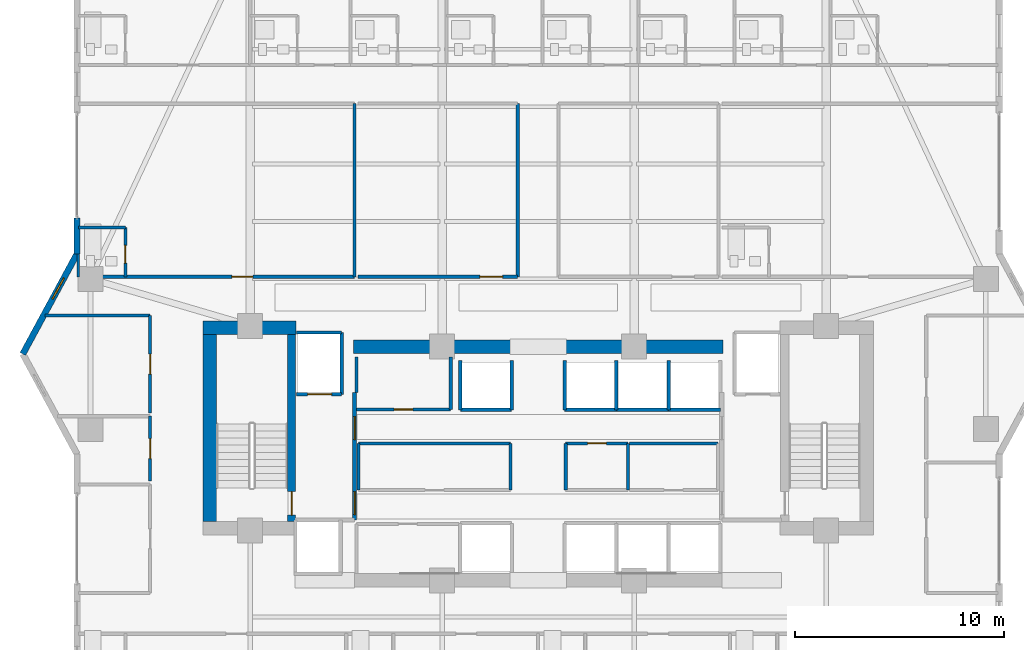
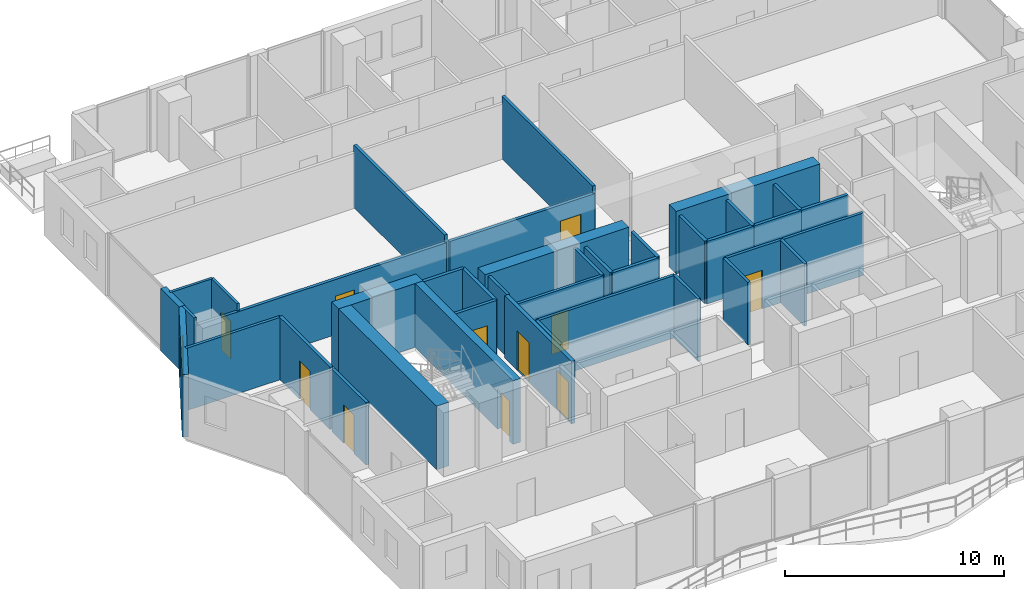
# One storey, part 25 of 33: 40 walls, 11 doors, 1 window, 12 openings.
"""IFC4 building model written with IfcOpenShell, lengths in metres."""

from ifc_helpers import new_model, si_unit, direction, frame, frame_2d, origin, place, context, subcontext, project, spatial, rectangle, extrude, material, layer, layer_set, type_object, element, fill, save


model = new_model("IFC4")

# Units and contexts
model_context = context("Model", 3, precision=1e-05, world=origin(), true_north=direction((0.0, 1.0)))
body_context = subcontext(model_context, "Body", "Model", "MODEL_VIEW")
ifc_project = project(units=[si_unit("LENGTHUNIT", "METRE"), si_unit("AREAUNIT", "SQUARE_METRE"), si_unit("VOLUMEUNIT", "CUBIC_METRE"), si_unit("PLANEANGLEUNIT", "RADIAN"), si_unit("MASSUNIT", "GRAM", prefix="KILO")], contexts=[model_context])

# Site, building, storey
site_placement = place(None, origin())
site = spatial("IfcSite", under=ifc_project, at=site_placement, CompositionType="ELEMENT")
building_placement = place(site_placement, origin())
building = spatial("IfcBuilding", under=site, at=building_placement, Name="Zuhayl Quay Hotel", CompositionType="ELEMENT")
storey_placement = place(building_placement, frame((0.0, 0.0, 229.89990234375)))
storey = spatial("IfcBuildingStorey", under=building, at=storey_placement, Name="L58", CompositionType="ELEMENT", Elevation=229.89990234375)

# Walls
ifc_material_1 = material(Name="Concrete C50/60", Category="concrete")
ifc_layer_1 = layer(ifc_material_1, 0.64990234375, Name="Concrete C50/60", Category="concrete")
ifc_layer_set_1 = layer_set([ifc_layer_1], Name="Concrete C50/60")
wall_type_1 = type_object("IfcWallType", Name="WL_CORE_650", PredefinedType="SHEAR", material=ifc_layer_set_1)
wall_1_placement = place(storey_placement, frame((-16.06005859375, 14.2548828125, 0.0), z_axis=(0.0, 0.0, 1.0), x_axis=(1.0, 0.0, 0.0)))
element("IfcWall", 1, at=wall_1_placement, inside=storey, type_object=wall_type_1, Name="L58 Core Shear Wall CW_NW", PredefinedType="SHEAR", context=body_context, shape_type="SweptSolid", body=[
    extrude(rectangle(XDim=4.4599609375, YDim=0.64990234375, at=frame_2d((2.22998046875, 0.0))), origin(), (0.0, 0.0, 1.0), 3.56005859375),
])
wall_2_placement = place(storey_placement, frame((-15.735107421875, 4.969970703125, 0.0), z_axis=(0.0, 0.0, 1.0), x_axis=(0.0, 1.0, 0.0)))
element("IfcWall", 2, at=wall_2_placement, inside=storey, type_object=wall_type_1, Name="L58 Core Shear Wall CW_W", PredefinedType="SHEAR", context=body_context, shape_type="SweptSolid", body=[
    extrude(rectangle(XDim=8.9599609375, YDim=0.64990234375, at=frame_2d((4.47998046875, 0.0))), origin(), (0.0, 0.0, 1.0), 3.56005859375),
])
for number, where, z_axis, x_axis, name in (
    (3, (-8.85009765625, 13.35009765625, 0.0), (0.0, 0.0, 1.0), (1.0, 0.0, 0.0), "L58 Core Shear Wall CW_NC_W"),
    (4, (1.25, 13.35009765625, 0.0), (0.0, 0.0, 1.0), (1.0, 0.0, 0.0), "L58 Core Shear Wall CW_NC_E"),
):
    element("IfcWall", number, at=place(storey_placement, frame(where, z_axis=z_axis, x_axis=x_axis)), inside=storey, type_object=wall_type_1, Name=name, PredefinedType="SHEAR", context=body_context, shape_type="SweptSolid", body=[
        extrude(rectangle(XDim=7.60009765625, YDim=0.64990234375, at=frame_2d((3.800048828125, 0.0))), origin(), (0.0, 0.0, 1.0), 3.489990234375),
    ])

# Wall, opening, window
ifc_material_2 = material(Name="Precast concrete C45/55", Category="concrete")
ifc_layer_2 = layer(ifc_material_2, 0.300048828125, Name="Precast concrete C45/55", Category="concrete")
ifc_layer_set_2 = layer_set([ifc_layer_2], Name="Precast concrete C45/55")
wall_type_2 = type_object("IfcWallType", Name="WL_EXT_300", PredefinedType="STANDARD", material=ifc_layer_set_2)
wall_3_placement = place(storey_placement, frame((-24.699951171875, 13.0, 0.0), z_axis=(0.0, 0.0, 1.0), x_axis=(0.476258655584, 0.879305233114, 0.0)))
wall_3 = element("IfcWall", 5, at=wall_3_placement, inside=storey, type_object=wall_type_2, Name="L58 Exterior Precast Wall ENV_L58_EW04", PredefinedType="STANDARD", context=body_context, shape_type="SweptSolid", body=[
    extrude(rectangle(XDim=5.458984375, YDim=0.300048828125, at=frame_2d((2.7294921875, 0.0))), origin(), (0.0, 0.0, 1.0), 3.489990234375),
])
opening_1_placement = place(wall_3_placement, frame((2.9931640625, 0.0, 1.25)))
opening_1 = element("IfcOpeningElement", 6, at=opening_1_placement, cuts=wall_3, Name="Opening W01N", PredefinedType="OPENING", context=body_context, shape_type="SweptSolid", body=[
    extrude(rectangle(XDim=1.14990234375, YDim=1.550048828125, at=frame_2d((0.574951171875, 0.77490234375))), frame((0.0, 0.159912109375, 0.0), z_axis=(0.0, -1.0, 0.0), x_axis=(1.0, 0.0, 0.0)), (0.0, 0.0, 1.0), 0.320068359375),
])
ifc_material_3 = material(Name="Dark Ceramic-Fritted Solar Glass", Category="glass")
window_type = type_object("IfcWindowType", Name="WN_NOTCH_1350", PartitioningType="SINGLE_PANEL", PredefinedType="WINDOW", material=ifc_material_3)
window_placement = place(opening_1_placement, origin())
window = element("IfcWindow", 7, at=window_placement, inside=storey, type_object=window_type, Name="L58 Corner Notch Window 4", OverallHeight=1.550048828125, OverallWidth=1.14990234375, PartitioningType="SINGLE_PANEL", PredefinedType="WINDOW", context=body_context, shape_type="SweptSolid", body=[
    extrude(rectangle(XDim=1.14990234375, YDim=1.550048828125, at=frame_2d((0.574951171875, 0.77490234375))), frame((0.0, 0.030029296875, 0.0), z_axis=(0.0, -1.0, 0.0), x_axis=(1.0, 0.0, 0.0)), (0.0, 0.0, 1.0), 0.06005859375),
])
fill(opening_1, window)

# Wall
wall_4_placement = place(storey_placement, frame((-22.10009765625, 17.800048828125, 0.0), z_axis=(0.0, 0.0, 1.0), x_axis=(0.0, 1.0, 0.0)))
element("IfcWall", 8, at=wall_4_placement, inside=storey, type_object=wall_type_2, Name="L58 Exterior Precast Wall ENV_L58_E05_EW1", PredefinedType="STANDARD", context=body_context, shape_type="SweptSolid", body=[
    extrude(rectangle(XDim=1.7099609375, YDim=0.300048828125, at=frame_2d((0.85498046875, 0.0))), origin(), (0.0, 0.0, 1.0), 3.489990234375),
])

# Wall, opening, door
ifc_material_4 = material(Name="Acoustic Gypsum Partition STC-58")
ifc_layer_3 = layer(ifc_material_4, 0.14990234375, Name="Acoustic Gypsum Partition STC-58")
ifc_layer_set_3 = layer_set([ifc_layer_3], Name="Acoustic Gypsum Partition STC-58")
wall_type_3 = type_object("IfcWallType", Name="WL_PART_150", PredefinedType="PARTITIONING", material=ifc_layer_set_3)
wall_5_placement = place(storey_placement, frame((-8.7099609375, 10.340087890625, 0.0), z_axis=(0.0, 0.0, 1.0), x_axis=(1.0, 0.0, 0.0)))
wall_5 = element("IfcWall", 9, at=wall_5_placement, inside=storey, type_object=wall_type_3, Name="L58 Partition IW_L58_FLP_N_S", PredefinedType="PARTITIONING", context=body_context, shape_type="SweptSolid", body=[
    extrude(rectangle(XDim=4.52001953125, YDim=0.14990234375, at=frame_2d((2.260009765625, 0.0))), origin(), (0.0, 0.0, 1.0), 3.489990234375),
])
opening_2_placement = place(wall_5_placement, frame((1.81005859375, 0.0, 0.0)))
opening_2 = element("IfcOpeningElement", 10, at=opening_2_placement, cuts=wall_5, Name="Opening D06", PredefinedType="OPENING", context=body_context, shape_type="SweptSolid", body=[
    extrude(rectangle(XDim=0.89990234375, YDim=2.14990234375, at=frame_2d((0.449951171875, 1.074951171875))), frame((0.0, 0.0849609375, 0.0), z_axis=(0.0, -1.0, 0.0), x_axis=(1.0, 0.0, 0.0)), (0.0, 0.0, 1.0), 0.169921875),
])
ifc_material_5 = material(Name="Steel ASTM A992 Grade 50", Category="steel")
door_type_1 = type_object("IfcDoorType", Name="DR_INT_900", OperationType="NOTDEFINED", PredefinedType="DOOR", material=ifc_material_5)
door_1_placement = place(opening_2_placement, origin())
door_1 = element("IfcDoor", 11, at=door_1_placement, inside=storey, type_object=door_type_1, Name="L58 Linen Store West Door", OperationType="SINGLE_SWING_RIGHT", OverallHeight=2.14990234375, OverallWidth=0.89990234375, PredefinedType="DOOR", context=body_context, shape_type="SweptSolid", body=[
    extrude(rectangle(XDim=0.89990234375, YDim=2.14990234375, at=frame_2d((0.449951171875, 1.074951171875))), frame((0.0, 0.02490234375, 0.0), z_axis=(0.0, -1.0, 0.0), x_axis=(1.0, 0.0, 0.0)), (0.0, 0.0, 1.0), 0.050048828125),
])
fill(opening_2, door_1)

wall_6_placement = place(storey_placement, frame((1.320068359375, 8.719970703125, 0.0), z_axis=(0.0, 0.0, 1.0), x_axis=(1.0, 0.0, 0.0)))
wall_6 = element("IfcWall", 12, at=wall_6_placement, inside=storey, type_object=wall_type_3, Name="L58 Partition IW_L58_CORE_IT_N", PredefinedType="PARTITIONING", context=body_context, shape_type="SweptSolid", body=[
    extrude(rectangle(XDim=2.989990234375, YDim=0.14990234375, at=frame_2d((1.4951171875, 0.0))), origin(), (0.0, 0.0, 1.0), 3.489990234375),
])
opening_3_placement = place(wall_6_placement, frame((1.044921875, 0.0, 0.0)))
opening_3 = element("IfcOpeningElement", 13, at=opening_3_placement, cuts=wall_6, Name="Opening D06", PredefinedType="OPENING", context=body_context, shape_type="SweptSolid", body=[
    extrude(rectangle(XDim=0.89990234375, YDim=2.14990234375, at=frame_2d((0.449951171875, 1.074951171875))), frame((0.0, 0.0849609375, 0.0), z_axis=(0.0, -1.0, 0.0), x_axis=(1.0, 0.0, 0.0)), (0.0, 0.0, 1.0), 0.169921875),
])
door_2_placement = place(opening_3_placement, origin())
door_2 = element("IfcDoor", 14, at=door_2_placement, inside=storey, type_object=door_type_1, Name="L58 Telecom Closet Door", OperationType="SINGLE_SWING_RIGHT", OverallHeight=2.14990234375, OverallWidth=0.89990234375, PredefinedType="DOOR", context=body_context, shape_type="SweptSolid", body=[
    extrude(rectangle(XDim=0.89990234375, YDim=2.14990234375, at=frame_2d((0.449951171875, 1.074951171875))), frame((0.0, 0.02490234375, 0.0), z_axis=(0.0, -1.0, 0.0), x_axis=(1.0, 0.0, 0.0)), (0.0, 0.0, 1.0), 0.050048828125),
])
fill(opening_3, door_2)

# Walls
wall_7_placement = place(storey_placement, frame((-8.7099609375, 11.14990234375, 0.0), z_axis=(0.0, 0.0, 1.0), x_axis=(0.0, 1.0, 0.0)))
element("IfcWall", 15, at=wall_7_placement, inside=storey, type_object=wall_type_3, Name="L58 Partition IW_L58_FLP_N_W", PredefinedType="PARTITIONING", context=body_context, shape_type="SweptSolid", body=[
    extrude(rectangle(XDim=1.710205078125, YDim=0.14990234375, at=frame_2d((0.85498046875, 0.0))), origin(), (0.0, 0.0, 1.0), 3.489990234375),
])
wall_8_placement = place(storey_placement, frame((-4.18994140625, 10.340087890625, 0.0), z_axis=(0.0, 0.0, 1.0), x_axis=(0.0, 1.0, 0.0)))
element("IfcWall", 16, at=wall_8_placement, inside=storey, type_object=wall_type_3, Name="L58 Partition IW_L58_FLP_N_E", PredefinedType="PARTITIONING", context=body_context, shape_type="SweptSolid", body=[
    extrude(rectangle(XDim=2.52001953125, YDim=0.14990234375, at=frame_2d((1.260009765625, 0.0))), origin(), (0.0, 0.0, 1.0), 3.489990234375),
])
wall_9_placement = place(storey_placement, frame((-8.610107421875, 8.719970703125, 0.0), z_axis=(0.0, 0.0, 1.0), x_axis=(1.0, 0.0, 0.0)))
element("IfcWall", 17, at=wall_9_placement, inside=storey, type_object=wall_type_3, Name="L58 Partition IW_L58_CORE_EL_N", PredefinedType="PARTITIONING", context=body_context, shape_type="SweptSolid", body=[
    extrude(rectangle(XDim=7.2900390625, YDim=0.14990234375, at=frame_2d((3.64501953125, 0.0))), origin(), (0.0, 0.0, 1.0), 3.489990234375),
])
for number, where, z_axis, x_axis, name in (
    (18, (-8.610107421875, 6.47998046875, 0.0), (0.0, 0.0, 1.0), (0.0, 1.0, 0.0), "L58 Partition IW_L58_CORE_EL_W"),
    (19, (-1.320068359375, 6.47998046875, 0.0), (0.0, 0.0, 1.0), (0.0, 1.0, 0.0), "L58 Partition IW_L58_CORE_EL_E"),
    (20, (1.320068359375, 6.47998046875, 0.0), (0.0, 0.0, 1.0), (0.0, 1.0, 0.0), "L58 Partition IW_L58_CORE_IT_W"),
    (21, (4.31005859375, 6.47998046875, 0.0), (0.0, 0.0, 1.0), (0.0, 1.0, 0.0), "L58 Partition IW_L58_CORE_IT_E"),
):
    element("IfcWall", number, at=place(storey_placement, frame(where, z_axis=z_axis, x_axis=x_axis)), inside=storey, type_object=wall_type_3, Name=name, PredefinedType="PARTITIONING", context=body_context, shape_type="SweptSolid", body=[
        extrude(rectangle(XDim=2.239990234375, YDim=0.14990234375, at=frame_2d((1.1201171875, 0.0))), origin(), (0.0, 0.0, 1.0), 3.489990234375),
    ])
wall_10_placement = place(storey_placement, frame((4.3701171875, 8.719970703125, 0.0), z_axis=(0.0, 0.0, 1.0), x_axis=(1.0, 0.0, 0.0)))
element("IfcWall", 22, at=wall_10_placement, inside=storey, type_object=wall_type_3, Name="L58 Partition IW_L58_CORE_LN_N", PredefinedType="PARTITIONING", context=body_context, shape_type="SweptSolid", body=[
    extrude(rectangle(XDim=4.239990234375, YDim=0.14990234375, at=frame_2d((2.1201171875, 0.0))), origin(), (0.0, 0.0, 1.0), 3.489990234375),
])
for number, where, z_axis, x_axis, name in (
    (23, (-8.800048828125, 16.699951171875, 0.0), (0.0, 0.0, 1.0), (0.0, 1.0, 0.0), "L58 Partition IW_L58_MU01_E"),
    (24, (-0.97998046875, 16.699951171875, 0.0), (0.0, 0.0, 1.0), (0.0, 1.0, 0.0), "L58 Partition IW_L58_Z3_MID_W_E"),
):
    element("IfcWall", number, at=place(storey_placement, frame(where, z_axis=z_axis, x_axis=x_axis)), inside=storey, type_object=wall_type_3, Name=name, PredefinedType="PARTITIONING", context=body_context, shape_type="SweptSolid", body=[
        extrude(rectangle(XDim=8.300048828125, YDim=0.14990234375, at=frame_2d((4.14990234375, 0.0))), origin(), (0.0, 0.0, 1.0), 3.489990234375),
    ])
wall_11_placement = place(storey_placement, frame((-23.637939453125, 14.85009765625, 0.0), z_axis=(0.0, 0.0, 1.0), x_axis=(1.0, 0.0, 0.0)))
element("IfcWall", 25, at=wall_11_placement, inside=storey, type_object=wall_type_3, Name="L58 Partition IW_L58_WPROW_3_N", PredefinedType="PARTITIONING", context=body_context, shape_type="SweptSolid", body=[
    extrude(rectangle(XDim=5.037841796875, YDim=0.14990234375, at=frame_2d((2.51904296875, 0.0))), origin(), (0.0, 0.0, 1.0), 3.489990234375),
])

# Wall, opening, door
ifc_layer_4 = layer(ifc_material_4, 0.159912109375, Name="Acoustic Gypsum Partition STC-58")
ifc_layer_set_4 = layer_set([ifc_layer_4], Name="Acoustic Gypsum Partition STC-58")
wall_type_4 = type_object("IfcWallType", Name="WL_PART_CORR_160", PredefinedType="PARTITIONING", material=ifc_layer_set_4)
wall_12_placement = place(storey_placement, frame((-22.0400390625, 16.699951171875, 0.0), z_axis=(0.0, 0.0, 1.0), x_axis=(1.0, 0.0, 0.0)))
wall_12 = element("IfcWall", 26, at=wall_12_placement, inside=storey, type_object=wall_type_4, Name="L58 Partition IW_L58_MU01_COR", PredefinedType="PARTITIONING", context=body_context, shape_type="SweptSolid", body=[
    extrude(rectangle(XDim=13.239990234375, YDim=0.159912109375, at=frame_2d((6.6201171875, 0.0))), origin(), (0.0, 0.0, 1.0), 3.083984375),
])
opening_4_placement = place(wall_12_placement, frame((7.364990234375, 0.0, 0.0)))
opening_4 = element("IfcOpeningElement", 27, at=opening_4_placement, cuts=wall_12, Name="Opening D03L", PredefinedType="OPENING", context=body_context, shape_type="SweptSolid", body=[
    extrude(rectangle(XDim=1.0, YDim=2.14990234375, at=frame_2d((0.5, 1.074951171875))), frame((0.0, 0.08984375, 0.0), z_axis=(0.0, -1.0, 0.0), x_axis=(1.0, 0.0, 0.0)), (0.0, 0.0, 1.0), 0.179931640625),
])
ifc_material_6 = material(Name="Solid Walnut Acoustic Fire Door")
door_type_2 = type_object("IfcDoorType", Name="DR_SUITE_1000", OperationType="NOTDEFINED", PredefinedType="DOOR", material=ifc_material_6)
door_3_placement = place(opening_4_placement, origin())
door_3 = element("IfcDoor", 28, at=door_3_placement, inside=storey, type_object=door_type_2, Name="L58 Club Junior Suite L58-M1 Entrance Door", OperationType="SINGLE_SWING_LEFT", OverallHeight=2.14990234375, OverallWidth=1.0, PredefinedType="DOOR", context=body_context, shape_type="SweptSolid", body=[
    extrude(rectangle(XDim=1.0, YDim=2.14990234375, at=frame_2d((0.5, 1.074951171875))), frame((0.0, 0.02490234375, 0.0), z_axis=(0.0, -1.0, 0.0), x_axis=(1.0, 0.0, 0.0)), (0.0, 0.0, 1.0), 0.050048828125),
])
fill(opening_4, door_3)

wall_13_placement = place(storey_placement, frame((-8.639892578125, 16.699951171875, 0.0), z_axis=(0.0, 0.0, 1.0), x_axis=(1.0, 0.0, 0.0)))
wall_13 = element("IfcWall", 29, at=wall_13_placement, inside=storey, type_object=wall_type_4, Name="L58 Partition IW_L58_Z3_MID_W_S", PredefinedType="PARTITIONING", context=body_context, shape_type="SweptSolid", body=[
    extrude(rectangle(XDim=7.659912109375, YDim=0.159912109375, at=frame_2d((3.830078125, 0.0))), origin(), (0.0, 0.0, 1.0), 3.083984375),
])
opening_5_placement = place(wall_13_placement, frame((5.85009765625, 0.0, 0.0)))
opening_5 = element("IfcOpeningElement", 30, at=opening_5_placement, cuts=wall_13, Name="Opening D05A", PredefinedType="OPENING", context=body_context, shape_type="SweptSolid", body=[
    extrude(rectangle(XDim=1.080078125, YDim=2.179931640625, at=frame_2d((0.5400390625, 1.08984375))), frame((0.0, 0.08984375, 0.0), z_axis=(0.0, -1.0, 0.0), x_axis=(1.0, 0.0, 0.0)), (0.0, 0.0, 1.0), 0.179931640625),
])
door_type_3 = type_object("IfcDoorType", Name="DR_INT_1100", OperationType="NOTDEFINED", PredefinedType="DOOR", material=ifc_material_6)
door_4_placement = place(opening_5_placement, origin())
door_4 = element("IfcDoor", 31, at=door_4_placement, inside=storey, type_object=door_type_3, Name="L58 Club Salon Boardroom Door", OperationType="SINGLE_SWING_RIGHT", OverallHeight=2.179931640625, OverallWidth=1.080078125, PredefinedType="DOOR", context=body_context, shape_type="SweptSolid", body=[
    extrude(rectangle(XDim=1.080078125, YDim=2.179931640625, at=frame_2d((0.5400390625, 1.08984375))), frame((0.0, 0.02490234375, 0.0), z_axis=(0.0, -1.0, 0.0), x_axis=(1.0, 0.0, 0.0)), (0.0, 0.0, 1.0), 0.050048828125),
])
fill(opening_5, door_4)

wall_14_placement = place(storey_placement, frame((-18.60009765625, 6.909912109375, 0.0), z_axis=(0.0, 0.0, 1.0), x_axis=(0.0, 1.0, 0.0)))
wall_14 = element("IfcWall", 32, at=wall_14_placement, inside=storey, type_object=wall_type_4, Name="L58 Partition IW_L58_WPROW_2_E", PredefinedType="PARTITIONING", context=body_context, shape_type="SweptSolid", body=[
    extrude(rectangle(XDim=3.110107421875, YDim=0.159912109375, at=frame_2d((1.55517578125, 0.0))), origin(), (0.0, 0.0, 1.0), 3.489990234375),
])
opening_6_placement = place(wall_14_placement, frame((1.080078125, 0.0, 0.0)))
opening_6 = element("IfcOpeningElement", 33, at=opening_6_placement, cuts=wall_14, Name="Opening D03", PredefinedType="OPENING", context=body_context, shape_type="SweptSolid", body=[
    extrude(rectangle(XDim=0.949951171875, YDim=2.14990234375, at=frame_2d((0.47509765625, 1.074951171875))), frame((0.0, 0.08984375, 0.0), z_axis=(0.0, -1.0, 0.0), x_axis=(1.0, 0.0, 0.0)), (0.0, 0.0, 1.0), 0.179931640625),
])
door_type_4 = type_object("IfcDoorType", Name="DR_SUITE_950", OperationType="NOTDEFINED", PredefinedType="DOOR", material=ifc_material_6)
door_5_placement = place(opening_6_placement, origin())
door_5 = element("IfcDoor", 34, at=door_5_placement, inside=storey, type_object=door_type_4, Name="L58 Sunset Tea Salon L58 Door", OperationType="SINGLE_SWING_LEFT", OverallHeight=2.14990234375, OverallWidth=0.949951171875, PredefinedType="DOOR", context=body_context, shape_type="SweptSolid", body=[
    extrude(rectangle(XDim=0.949951171875, YDim=2.14990234375, at=frame_2d((0.47509765625, 1.074951171875))), frame((0.0, 0.02490234375, 0.0), z_axis=(0.0, -1.0, 0.0), x_axis=(1.0, 0.0, 0.0)), (0.0, 0.0, 1.0), 0.050048828125),
])
fill(opening_6, door_5)

wall_15_placement = place(storey_placement, frame((-18.60009765625, 10.179931640625, 0.0), z_axis=(0.0, 0.0, 1.0), x_axis=(0.0, 1.0, 0.0)))
wall_15 = element("IfcWall", 35, at=wall_15_placement, inside=storey, type_object=wall_type_4, Name="L58 Partition IW_L58_WPROW_3_E", PredefinedType="PARTITIONING", context=body_context, shape_type="SweptSolid", body=[
    extrude(rectangle(XDim=4.670166015625, YDim=0.159912109375, at=frame_2d((2.3349609375, 0.0))), origin(), (0.0, 0.0, 1.0), 3.489990234375),
])
opening_7_placement = place(wall_15_placement, frame((1.860107421875, 0.0, 0.0)))
opening_7 = element("IfcOpeningElement", 36, at=opening_7_placement, cuts=wall_15, Name="Opening D03", PredefinedType="OPENING", context=body_context, shape_type="SweptSolid", body=[
    extrude(rectangle(XDim=0.949951171875, YDim=2.14990234375, at=frame_2d((0.47509765625, 1.074951171875))), frame((0.0, 0.08984375, 0.0), z_axis=(0.0, -1.0, 0.0), x_axis=(1.0, 0.0, 0.0)), (0.0, 0.0, 1.0), 0.179931640625),
])
door_6_placement = place(opening_7_placement, origin())
door_6 = element("IfcDoor", 37, at=door_6_placement, inside=storey, type_object=door_type_4, Name="L58 West Horizon Salon L58 Door", OperationType="SINGLE_SWING_RIGHT", OverallHeight=2.14990234375, OverallWidth=0.949951171875, PredefinedType="DOOR", context=body_context, shape_type="SweptSolid", body=[
    extrude(rectangle(XDim=0.949951171875, YDim=2.14990234375, at=frame_2d((0.47509765625, 1.074951171875))), frame((0.0, 0.02490234375, 0.0), z_axis=(0.0, -1.0, 0.0), x_axis=(1.0, 0.0, 0.0)), (0.0, 0.0, 1.0), 0.050048828125),
])
fill(opening_7, door_6)

ifc_material_7 = material(Name="Moisture-Resistant Sanitarychase Gypsum")
ifc_layer_5 = layer(ifc_material_7, 0.135009765625, Name="Moisture-Resistant Sanitarychase Gypsum")
ifc_layer_set_5 = layer_set([ifc_layer_5], Name="Moisture-Resistant Sanitarychase Gypsum")
wall_type_5 = type_object("IfcWallType", Name="WL_PART_PLUMB_150", PredefinedType="PLUMBINGWALL", material=ifc_layer_set_5)
wall_16_placement = place(storey_placement, frame((-19.780029296875, 16.699951171875, 0.0), z_axis=(0.0, 0.0, 1.0), x_axis=(0.0, 1.0, 0.0)))
wall_16 = element("IfcWall", 38, at=wall_16_placement, inside=storey, type_object=wall_type_5, Name="L58 Partition IW_L58_MU01_BE", PredefinedType="PLUMBINGWALL", context=body_context, shape_type="SweptSolid", body=[
    extrude(rectangle(XDim=2.360107421875, YDim=0.135009765625, at=frame_2d((1.18017578125, 0.0))), origin(), (0.0, 0.0, 1.0), 3.489990234375),
])
opening_8_placement = place(wall_16_placement, frame((0.64990234375, 0.0, 0.0)))
opening_8 = element("IfcOpeningElement", 39, at=opening_8_placement, cuts=wall_16, Name="Opening D04", PredefinedType="OPENING", context=body_context, shape_type="SweptSolid", body=[
    extrude(rectangle(XDim=0.85009765625, YDim=2.10009765625, at=frame_2d((0.425048828125, 1.050048828125))), frame((0.0, 0.077392578125, 0.0), z_axis=(0.0, -1.0, 0.0), x_axis=(1.0, 0.0, 0.0)), (0.0, 0.0, 1.0), 0.155029296875),
])
ifc_material_8 = material(Name="Moisture-Resistant Walnut Veneer")
door_type_5 = type_object("IfcDoorType", Name="DR_BATH_850", OperationType="NOTDEFINED", PredefinedType="DOOR", material=ifc_material_8)
door_7_placement = place(opening_8_placement, origin())
door_7 = element("IfcDoor", 40, at=door_7_placement, inside=storey, type_object=door_type_5, Name="L58 Club Junior Suite L58-M1 En-Suite Door", OperationType="SINGLE_SWING_RIGHT", OverallHeight=2.10009765625, OverallWidth=0.85009765625, PredefinedType="DOOR", context=body_context, shape_type="SweptSolid", body=[
    extrude(rectangle(XDim=0.85009765625, YDim=2.10009765625, at=frame_2d((0.425048828125, 1.050048828125))), frame((0.0, 0.02490234375, 0.0), z_axis=(0.0, -1.0, 0.0), x_axis=(1.0, 0.0, 0.0)), (0.0, 0.0, 1.0), 0.050048828125),
])
fill(opening_8, door_7)

# Walls
wall_17_placement = place(storey_placement, frame((-22.0400390625, 19.06005859375, 0.0), z_axis=(0.0, 0.0, 1.0), x_axis=(1.0, 0.0, 0.0)))
element("IfcWall", 41, at=wall_17_placement, inside=storey, type_object=wall_type_5, Name="L58 Partition IW_L58_MU01_BN", PredefinedType="PLUMBINGWALL", context=body_context, shape_type="SweptSolid", body=[
    extrude(rectangle(XDim=2.260009765625, YDim=0.135009765625, at=frame_2d((1.1298828125, 0.0))), origin(), (0.0, 0.0, 1.0), 3.489990234375),
])
wall_18_placement = place(storey_placement, frame((-22.0400390625, 16.699951171875, 0.0), z_axis=(0.0, 0.0, 1.0), x_axis=(0.0, 1.0, 0.0)))
element("IfcWall", 42, at=wall_18_placement, inside=storey, type_object=wall_type_5, Name="L58 Partition IW_L58_MU01_BW", PredefinedType="PLUMBINGWALL", context=body_context, shape_type="SweptSolid", body=[
    extrude(rectangle(XDim=1.10009765625, YDim=0.135009765625, at=frame_2d((0.550048828125, 0.0))), origin(), (0.0, 0.0, 1.0), 3.489990234375),
])

# Wall, opening, door
ifc_material_9 = material(Name="Gypsum Fireboard Assembly EI-90")
ifc_layer_6 = layer(ifc_material_9, 0.1650390625, Name="Gypsum Fireboard Assembly EI-90")
ifc_layer_set_6 = layer_set([ifc_layer_6], Name="Gypsum Fireboard Assembly EI-90")
wall_type_6 = type_object("IfcWallType", Name="WL_PART_SHAFT_160", PredefinedType="PARTITIONING", material=ifc_layer_set_6)
wall_19_placement = place(storey_placement, frame((-11.580078125, 11.070068359375, 0.0), z_axis=(0.0, 0.0, 1.0), x_axis=(1.0, 0.0, 0.0)))
wall_19 = element("IfcWall", 43, at=wall_19_placement, inside=storey, type_object=wall_type_6, Name="L58 Partition IW_L58_SH_FL1_F", PredefinedType="PARTITIONING", context=body_context, shape_type="SweptSolid", body=[
    extrude(rectangle(XDim=2.16015625, YDim=0.1650390625, at=frame_2d((1.080078125, 0.0))), origin(), (0.0, 0.0, 1.0), 3.489990234375),
])
opening_9_placement = place(wall_19_placement, frame((0.530029296875, 0.0, 0.0)))
opening_9 = element("IfcOpeningElement", 44, at=opening_9_placement, cuts=wall_19, Name="Opening LD2", PredefinedType="OPENING", context=body_context, shape_type="SweptSolid", body=[
    extrude(rectangle(XDim=1.14990234375, YDim=2.25, at=frame_2d((0.574951171875, 1.125))), frame((0.0, 0.092529296875, 0.0), z_axis=(0.0, -1.0, 0.0), x_axis=(1.0, 0.0, 0.0)), (0.0, 0.0, 1.0), 0.18505859375),
])
ifc_material_10 = material(Name="Brushed Stainless Steel", Category="steel")
door_type_6 = type_object("IfcDoorType", Name="DR_LIFT_FF_1100", OperationType="SLIDING_TO_LEFT", PredefinedType="DOOR", material=ifc_material_10)
door_8_placement = place(opening_9_placement, origin())
door_8 = element("IfcDoor", 45, at=door_8_placement, inside=storey, type_object=door_type_6, Name="L58 Lift FL1 Sliding Landing Door", OperationType="SLIDING_TO_LEFT", OverallHeight=2.25, OverallWidth=1.14990234375, PredefinedType="DOOR", context=body_context, shape_type="SweptSolid", body=[
    extrude(rectangle(XDim=1.14990234375, YDim=2.25, at=frame_2d((0.574951171875, 1.125))), frame((0.0, 0.02490234375, 0.0), z_axis=(0.0, -1.0, 0.0), x_axis=(1.0, 0.0, 0.0)), (0.0, 0.0, 1.0), 0.050048828125),
])
fill(opening_9, door_8)

# Walls
wall_20_placement = place(storey_placement, frame((-9.419921875, 11.070068359375, 0.0), z_axis=(0.0, 0.0, 1.0), x_axis=(0.0, 1.0, 0.0)))
element("IfcWall", 46, at=wall_20_placement, inside=storey, type_object=wall_type_6, Name="L58 Partition IW_L58_SH_FL1_E", PredefinedType="PARTITIONING", context=body_context, shape_type="SweptSolid", body=[
    extrude(rectangle(XDim=2.9599609375, YDim=0.1650390625, at=frame_2d((1.47998046875, 0.0))), origin(), (0.0, 0.0, 1.0), 3.489990234375),
])
wall_21_placement = place(storey_placement, frame((-11.580078125, 14.030029296875, 0.0), z_axis=(0.0, 0.0, 1.0), x_axis=(1.0, 0.0, 0.0)))
element("IfcWall", 47, at=wall_21_placement, inside=storey, type_object=wall_type_6, Name="L58 Partition IW_L58_SH_FL1_B", PredefinedType="PARTITIONING", context=body_context, shape_type="SweptSolid", body=[
    extrude(rectangle(XDim=2.16015625, YDim=0.1650390625, at=frame_2d((1.080078125, 0.0))), origin(), (0.0, 0.0, 1.0), 3.489990234375),
])
wall_22_placement = place(storey_placement, frame((-3.72998046875, 10.320068359375, 0.0), z_axis=(0.0, 0.0, 1.0), x_axis=(1.0, 0.0, 0.0)))
element("IfcWall", 48, at=wall_22_placement, inside=storey, type_object=wall_type_6, Name="L58 Partition IW_L58_SH_MP3_F", PredefinedType="PARTITIONING", context=body_context, shape_type="SweptSolid", body=[
    extrude(rectangle(XDim=2.4599609375, YDim=0.1650390625, at=frame_2d((1.22998046875, 0.0))), origin(), (0.0, 0.0, 1.0), 3.489990234375),
])
for number, where, z_axis, x_axis, name in (
    (49, (-3.72998046875, 10.320068359375, 0.0), (0.0, 0.0, 1.0), (0.0, 1.0, 0.0), "L58 Partition IW_L58_SH_MP3_W"),
    (50, (-1.27001953125, 10.320068359375, 0.0), (0.0, 0.0, 1.0), (0.0, 1.0, 0.0), "L58 Partition IW_L58_SH_MP3_E"),
):
    element("IfcWall", number, at=place(storey_placement, frame(where, z_axis=z_axis, x_axis=x_axis)), inside=storey, type_object=wall_type_6, Name=name, PredefinedType="PARTITIONING", context=body_context, shape_type="SweptSolid", body=[
        extrude(rectangle(XDim=2.35986328125, YDim=0.1650390625, at=frame_2d((1.179931640625, 0.0))), origin(), (0.0, 0.0, 1.0), 3.489990234375),
    ])
wall_23_placement = place(storey_placement, frame((1.27001953125, 10.320068359375, 0.0), z_axis=(0.0, 0.0, 1.0), x_axis=(1.0, 0.0, 0.0)))
element("IfcWall", 51, at=wall_23_placement, inside=storey, type_object=wall_type_6, Name="L58 Partition IW_L58_SH_MP4_F", PredefinedType="PARTITIONING", context=body_context, shape_type="SweptSolid", body=[
    extrude(rectangle(XDim=2.47998046875, YDim=0.1650390625, at=frame_2d((1.239990234375, 0.0))), origin(), (0.0, 0.0, 1.0), 3.489990234375),
])
for number, where, z_axis, x_axis, name in (
    (52, (1.27001953125, 10.320068359375, 0.0), (0.0, 0.0, 1.0), (0.0, 1.0, 0.0), "L58 Partition IW_L58_SH_MP4_W"),
    (53, (3.75, 10.320068359375, 0.0), (0.0, 0.0, 1.0), (0.0, 1.0, 0.0), "L58 Partition IW_L58_SH_MP4_E"),
):
    element("IfcWall", number, at=place(storey_placement, frame(where, z_axis=z_axis, x_axis=x_axis)), inside=storey, type_object=wall_type_6, Name=name, PredefinedType="PARTITIONING", context=body_context, shape_type="SweptSolid", body=[
        extrude(rectangle(XDim=2.35986328125, YDim=0.1650390625, at=frame_2d((1.179931640625, 0.0))), origin(), (0.0, 0.0, 1.0), 3.489990234375),
    ])
wall_24_placement = place(storey_placement, frame((3.75, 10.320068359375, 0.0), z_axis=(0.0, 0.0, 1.0), x_axis=(1.0, 0.0, 0.0)))
element("IfcWall", 54, at=wall_24_placement, inside=storey, type_object=wall_type_6, Name="L58 Partition IW_L58_SH_HP3_F", PredefinedType="PARTITIONING", context=body_context, shape_type="SweptSolid", body=[
    extrude(rectangle(XDim=2.5, YDim=0.1650390625, at=frame_2d((1.25, 0.0))), origin(), (0.0, 0.0, 1.0), 3.489990234375),
])
wall_25_placement = place(storey_placement, frame((6.25, 10.320068359375, 0.0), z_axis=(0.0, 0.0, 1.0), x_axis=(0.0, 1.0, 0.0)))
element("IfcWall", 55, at=wall_25_placement, inside=storey, type_object=wall_type_6, Name="L58 Partition IW_L58_SH_HP3_E", PredefinedType="PARTITIONING", context=body_context, shape_type="SweptSolid", body=[
    extrude(rectangle(XDim=2.35986328125, YDim=0.1650390625, at=frame_2d((1.179931640625, 0.0))), origin(), (0.0, 0.0, 1.0), 3.489990234375),
])
wall_26_placement = place(storey_placement, frame((6.25, 10.320068359375, 0.0), z_axis=(0.0, 0.0, 1.0), x_axis=(1.0, 0.0, 0.0)))
element("IfcWall", 56, at=wall_26_placement, inside=storey, type_object=wall_type_6, Name="L58 Partition IW_L58_SH_HP4_F", PredefinedType="PARTITIONING", context=body_context, shape_type="SweptSolid", body=[
    extrude(rectangle(XDim=2.47998046875, YDim=0.1650390625, at=frame_2d((1.239990234375, 0.0))), origin(), (0.0, 0.0, 1.0), 3.489990234375),
])

# Wall, openings, doors
ifc_material_11 = material(Name="Gypsum Fireboard Assembly EI-120")
ifc_layer_7 = layer(ifc_material_11, 0.199951171875, Name="Gypsum Fireboard Assembly EI-120")
ifc_layer_set_7 = layer_set([ifc_layer_7], Name="Gypsum Fireboard Assembly EI-120")
wall_type_7 = type_object("IfcWallType", Name="WL_PART_SHAFT_200", PredefinedType="PARTITIONING", material=ifc_layer_set_7)
wall_27_placement = place(storey_placement, frame((-8.800048828125, 5.050048828125, 0.0), z_axis=(0.0, 0.0, 1.0), x_axis=(0.0, 1.0, 0.0)))
wall_27 = element("IfcWall", 57, at=wall_27_placement, inside=storey, type_object=wall_type_7, Name="L58 Partition IW_L58_FSAE_W_E", PredefinedType="PARTITIONING", context=body_context, shape_type="SweptSolid", body=[
    extrude(rectangle(XDim=6.099853515625, YDim=0.199951171875, at=frame_2d((3.0498046875, 0.0))), origin(), (0.0, 0.0, 1.0), 3.489990234375),
])
opening_10_placement = place(wall_27_placement, frame((0.25, 0.0, 0.0)))
opening_10 = element("IfcOpeningElement", 58, at=opening_10_placement, cuts=wall_27, Name="Opening D02", PredefinedType="OPENING", context=body_context, shape_type="SweptSolid", body=[
    extrude(rectangle(XDim=1.10009765625, YDim=2.199951171875, at=frame_2d((0.550048828125, 1.10009765625))), frame((0.0, 0.10986328125, 0.0), z_axis=(0.0, -1.0, 0.0), x_axis=(1.0, 0.0, 0.0)), (0.0, 0.0, 1.0), 0.219970703125),
])
opening_11_placement = place(wall_27_placement, frame((3.85009765625, 0.0, 0.0)))
opening_11 = element("IfcOpeningElement", 59, at=opening_11_placement, cuts=wall_27, Name="Opening D02", PredefinedType="OPENING", context=body_context, shape_type="SweptSolid", body=[
    extrude(rectangle(XDim=1.10009765625, YDim=2.199951171875, at=frame_2d((0.550048828125, 1.10009765625))), frame((0.0, 0.10986328125, 0.0), z_axis=(0.0, -1.0, 0.0), x_axis=(1.0, 0.0, 0.0)), (0.0, 0.0, 1.0), 0.219970703125),
])
door_type_7 = type_object("IfcDoorType", Name="DR_FIRE_90_1100", OperationType="NOTDEFINED", PredefinedType="DOOR", material=ifc_material_5)
door_9_placement = place(opening_10_placement, origin())
door_9 = element("IfcDoor", 60, at=door_9_placement, inside=storey, type_object=door_type_7, Name="L58 FSAE Lobby West South Entry Door", OperationType="SINGLE_SWING_LEFT", OverallHeight=2.199951171875, OverallWidth=1.10009765625, PredefinedType="DOOR", context=body_context, shape_type="SweptSolid", body=[
    extrude(rectangle(XDim=1.10009765625, YDim=2.199951171875, at=frame_2d((0.550048828125, 1.10009765625))), frame((0.0, 0.02490234375, 0.0), z_axis=(0.0, -1.0, 0.0), x_axis=(1.0, 0.0, 0.0)), (0.0, 0.0, 1.0), 0.050048828125),
])
fill(opening_10, door_9)
door_10_placement = place(opening_11_placement, origin())
door_10 = element("IfcDoor", 61, at=door_10_placement, inside=storey, type_object=door_type_7, Name="L58 FSAE Lobby West North Entry Door", OperationType="SINGLE_SWING_RIGHT", OverallHeight=2.199951171875, OverallWidth=1.10009765625, PredefinedType="DOOR", context=body_context, shape_type="SweptSolid", body=[
    extrude(rectangle(XDim=1.10009765625, YDim=2.199951171875, at=frame_2d((0.550048828125, 1.10009765625))), frame((0.0, 0.02490234375, 0.0), z_axis=(0.0, -1.0, 0.0), x_axis=(1.0, 0.0, 0.0)), (0.0, 0.0, 1.0), 0.050048828125),
])
fill(opening_11, door_10)

# Wall, opening, door
ifc_material_12 = material(Name="Concrete C60/75", Category="concrete")
ifc_layer_8 = layer(ifc_material_12, 0.39990234375, Name="Concrete C60/75", Category="concrete")
ifc_layer_set_8 = layer_set([ifc_layer_8], Name="Concrete C60/75")
wall_type_8 = type_object("IfcWallType", Name="WL_STAIR_400", PredefinedType="SHEAR", material=ifc_layer_set_8)
wall_28_placement = place(storey_placement, frame((-11.820068359375, 4.969970703125, 0.0), z_axis=(0.0, 0.0, 1.0), x_axis=(0.0, 1.0, 0.0)))
wall_28 = element("IfcWall", 62, at=wall_28_placement, inside=storey, type_object=wall_type_8, Name="L58 Core Shear Wall SW_ST1", PredefinedType="SHEAR", context=body_context, shape_type="SweptSolid", body=[
    extrude(rectangle(XDim=8.9599609375, YDim=0.39990234375, at=frame_2d((4.47998046875, 0.0))), origin(), (0.0, 0.0, 1.0), 3.56005859375),
])
opening_12_placement = place(wall_28_placement, frame((0.31005859375, 0.0, 0.0)))
opening_12 = element("IfcOpeningElement", 63, at=opening_12_placement, cuts=wall_28, Name="Opening D01", PredefinedType="OPENING", context=body_context, shape_type="SweptSolid", body=[
    extrude(rectangle(XDim=1.1201171875, YDim=2.219970703125, at=frame_2d((0.56005859375, 1.10986328125))), frame((0.0, 0.2099609375, 0.0), z_axis=(0.0, -1.0, 0.0), x_axis=(1.0, 0.0, 0.0)), (0.0, 0.0, 1.0), 0.419921875),
])
door_type_8 = type_object("IfcDoorType", Name="DR_STAIR_90_1100", OperationType="NOTDEFINED", PredefinedType="DOOR", material=ifc_material_5)
door_11_placement = place(opening_12_placement, origin())
door_11 = element("IfcDoor", 64, at=door_11_placement, inside=storey, type_object=door_type_8, Name="L58 Smokeproof Exit Stair ST1 Door", OperationType="SINGLE_SWING_LEFT", OverallHeight=2.219970703125, OverallWidth=1.1201171875, PredefinedType="DOOR", context=body_context, shape_type="SweptSolid", body=[
    extrude(rectangle(XDim=1.1201171875, YDim=2.219970703125, at=frame_2d((0.56005859375, 1.10986328125))), frame((0.0, 0.02490234375, 0.0), z_axis=(0.0, -1.0, 0.0), x_axis=(1.0, 0.0, 0.0)), (0.0, 0.0, 1.0), 0.050048828125),
])
fill(opening_12, door_11)

save(model, "model.ifc")
